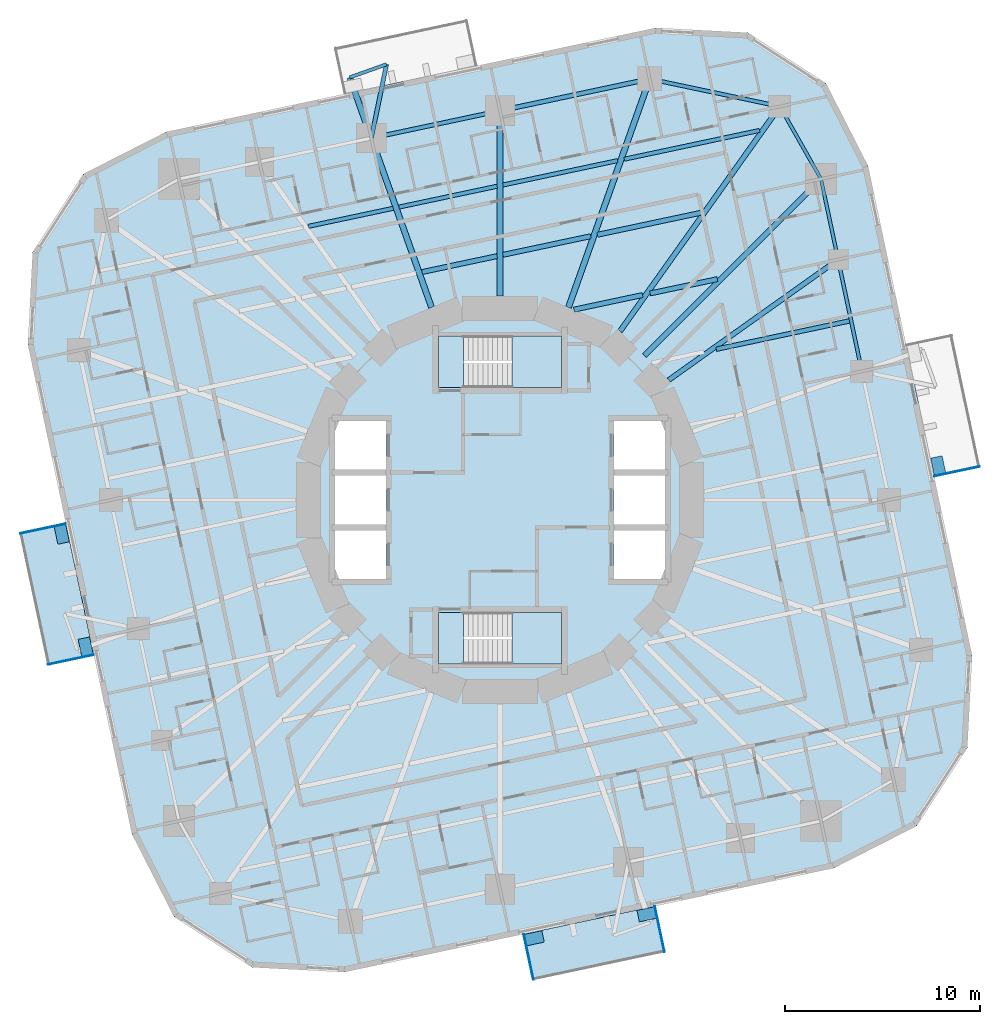
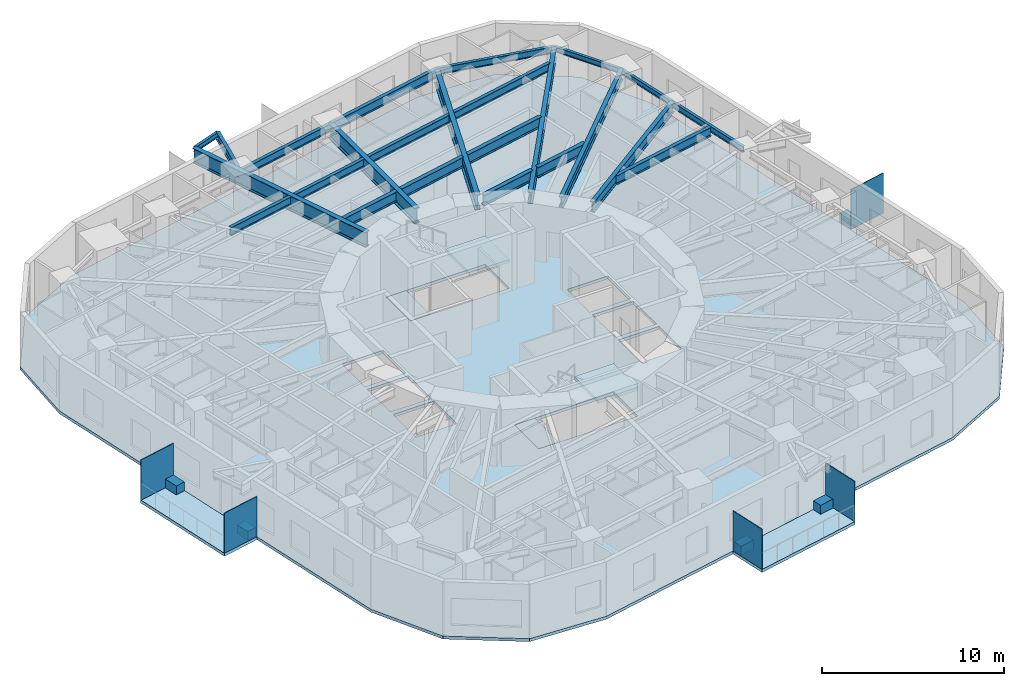
# One storey, part 3 of 14: 24 beams, 10 plates, 7 slabs, 2 elements without a shape of their own.
"""IFC4 building model written with IfcOpenShell, lengths in metres."""

import ifcopenshell
import ifcopenshell.guid

model = None  # the IFC model being written
_history = None  # IfcOwnerHistory: only IFC2X3 demands one
_inside = {}  # id of a spatial element -> (the spatial element, [elements in it])
_under = {}  # id of a project, library or spatial element -> (it, [spatial elements below it])
_declared = {}  # id of a project -> (the project, [libraries it declares])
_typed = {}  # id of a type object -> (the type object, [elements of that type])
_made_of = {}  # id of a material, layer set ... -> (it, [elements and type objects made of it])


def new_model(schema):
    """Start an empty IFC model of exactly this schema.

    Asked for "IFC4X3", IfcOpenShell would pick the latest addendum, in which some entities
    have other attributes; the version numbers below select the first issue.
    IFC2X3 requires an IfcOwnerHistory on every rooted entity: one is made here for all.
    """
    global model, _history
    if schema == "IFC4X3":
        model = ifcopenshell.file(schema_version=(4, 3, 0, 0))
    else:
        model = ifcopenshell.file(schema=schema)
    _inside.clear()
    _under.clear()
    _declared.clear()
    _typed.clear()
    _made_of.clear()
    _history = None
    if model.schema == "IFC2X3":
        org = make("IfcOrganization", Name="unknown")
        user = make(
            "IfcPersonAndOrganization",
            ThePerson=make("IfcPerson", FamilyName="unknown"),
            TheOrganization=org,
        )
        app = make(
            "IfcApplication",
            ApplicationDeveloper=org,
            Version="unknown",
            ApplicationFullName="unknown",
            ApplicationIdentifier="unknown",
        )
        _history = make(
            "IfcOwnerHistory",
            OwningUser=user,
            OwningApplication=app,
            ChangeAction="ADDED",
            CreationDate=0,
        )
    return model


def make(cls, **values):
    """One entity of the class cls with the attributes given. An attribute that is None is left unset."""
    return model.create_entity(
        cls, **{name: value for name, value in values.items() if value is not None}
    )


def rooted(cls, **values):
    """An entity with a GlobalId (a new one), such as an element, a storey or a relation."""
    return make(cls, GlobalId=ifcopenshell.guid.new(), OwnerHistory=_history, **values)


def si_unit(unit_type, name, prefix=None):
    """IfcSIUnit, for example si_unit("LENGTHUNIT", "METRE", prefix="MILLI")."""
    return make("IfcSIUnit", UnitType=unit_type, Prefix=prefix, Name=name)


def assignment(units):
    """IfcUnitAssignment: the units of a project."""
    return None if units is None else make("IfcUnitAssignment", Units=units)


def point(xyz):
    """IfcCartesianPoint."""
    return None if xyz is None else make("IfcCartesianPoint", Coordinates=xyz)


def direction(xyz):
    """IfcDirection."""
    return None if xyz is None else make("IfcDirection", DirectionRatios=xyz)


def frame(location, z_axis=None, x_axis=None):
    """IfcAxis2Placement3D, a coordinate frame: its origin and axes. An axis left out is left unset."""
    return make(
        "IfcAxis2Placement3D",
        Location=point(location),
        Axis=direction(z_axis),
        RefDirection=direction(x_axis),
    )


def frame_2d(location, x_axis=None):
    """IfcAxis2Placement2D, a coordinate frame in the plane: its origin and x axis."""
    return make(
        "IfcAxis2Placement2D", Location=point(location), RefDirection=direction(x_axis)
    )


def origin():
    """The frame at (0, 0, 0) with its axes left unset."""
    return frame((0.0, 0.0, 0.0))


def origin_2d():
    """The frame at (0, 0) in the plane with its x axis left unset."""
    return frame_2d((0.0, 0.0))


def place(relative_to, where):
    """IfcLocalPlacement: puts the frame where relative to a parent placement (None: the world)."""
    return make(
        "IfcLocalPlacement", PlacementRelTo=relative_to, RelativePlacement=where
    )


def context(
    kind, dimensions, precision=None, world=None, true_north=None, identifier=None
):
    """IfcGeometricRepresentationContext, for example the 3D "Model" context."""
    return make(
        "IfcGeometricRepresentationContext",
        ContextIdentifier=identifier,
        ContextType=kind,
        CoordinateSpaceDimension=dimensions,
        Precision=precision,
        WorldCoordinateSystem=world,
        TrueNorth=true_north,
    )


def subcontext(parent, identifier, kind, view, scale=None):
    """IfcGeometricRepresentationSubContext, for example "Body" below "Model"."""
    return make(
        "IfcGeometricRepresentationSubContext",
        ContextIdentifier=identifier,
        ContextType=kind,
        ParentContext=parent,
        TargetScale=scale,
        TargetView=view,
    )


def project(units=None, contexts=None):
    """IfcProject with its units and contexts."""
    return rooted(
        "IfcProject",
        Name="project",
        RepresentationContexts=contexts,
        UnitsInContext=assignment(units),
    )


def spatial(cls, under=None, at=None, **own):
    """A site, building, storey or space (cls), placed at a placement, below another one or the project."""
    s = rooted(cls, ObjectPlacement=at, **own)
    if under is not None:
        _under.setdefault(under.id(), (under, []))[1].append(s)
    return s


def polyline(points):
    """IfcPolyline through the points."""
    return make("IfcPolyline", Points=[point(p) for p in points])


def profile(cls, at=None, kind="AREA", **sizes):
    """A parametric profile (cls). Its sizes go by their IFC names, for example OverallWidth=200.0."""
    return make(cls, ProfileType=kind, Position=at, **sizes)


def rectangle(**sizes):
    """IfcRectangleProfileDef."""
    return profile("IfcRectangleProfileDef", **sizes)


def i_section(**sizes):
    """IfcIShapeProfileDef."""
    return profile("IfcIShapeProfileDef", **sizes)


def outline(outer, holes=None, kind="AREA"):
    """IfcArbitraryClosedProfileDef: a profile drawn as a closed curve; with holes, ...WithVoids."""
    if holes is None:
        return make("IfcArbitraryClosedProfileDef", ProfileType=kind, OuterCurve=outer)
    return make(
        "IfcArbitraryProfileDefWithVoids",
        ProfileType=kind,
        OuterCurve=outer,
        InnerCurves=holes,
    )


def extrude(swept, where, along, depth):
    """IfcExtrudedAreaSolid: the profile swept, set in the frame where, extruded along a direction by depth."""
    return make(
        "IfcExtrudedAreaSolid",
        SweptArea=swept,
        Position=where,
        ExtrudedDirection=direction(along),
        Depth=depth,
    )


def shape(context_of_items, identifier, shape_type, items):
    """IfcShapeRepresentation: the items that make up one representation, for example the "Body"."""
    return make(
        "IfcShapeRepresentation",
        ContextOfItems=context_of_items,
        RepresentationIdentifier=identifier,
        RepresentationType=shape_type,
        Items=items,
    )


def material(Name=None, Category=None):
    """IfcMaterial."""
    return make("IfcMaterial", Name=Name, Category=Category)


def layer(
    of_material, thickness, ventilated=None, Name=None, Category=None, Priority=None
):
    """IfcMaterialLayer: one layer of a wall or slab, of a material (None: an air gap)."""
    return make(
        "IfcMaterialLayer",
        Material=of_material,
        LayerThickness=thickness,
        IsVentilated=ventilated,
        Name=Name,
        Category=Category,
        Priority=Priority,
    )


def layer_set(layers, Name=None):
    """IfcMaterialLayerSet."""
    return make("IfcMaterialLayerSet", MaterialLayers=layers, LayerSetName=Name)


def material_profile(
    of_material, cross_section, Name=None, Category=None, Priority=None
):
    """IfcMaterialProfile: a cross section and its material."""
    return make(
        "IfcMaterialProfile",
        Name=Name,
        Material=of_material,
        Profile=cross_section,
        Priority=Priority,
        Category=Category,
    )


def profile_set(profiles, Name=None, composite=None):
    """IfcMaterialProfileSet."""
    return make(
        "IfcMaterialProfileSet",
        Name=Name,
        MaterialProfiles=profiles,
        CompositeProfile=composite,
    )


def made_of(thing, what):
    """Note that an element or type object is made of a material, layer set ...; save() writes the relation."""
    if what is not None:
        _made_of.setdefault(what.id(), (what, []))[1].append(thing)
    return thing


def type_object(cls, material=None, **own):
    """A type object (cls), such as IfcWallType, which elements share."""
    return made_of(rooted(cls, **own), material)


def element(
    cls,
    number,
    at=None,
    inside=None,
    cuts=None,
    type_object=None,
    material=None,
    context=None,
    identifier="Body",
    shape_type=None,
    held_by="IfcProductDefinitionShape",
    body=None,
    shapes=None,
    **own,
):
    """One element of the class cls, such as IfcWall. Its Tag is "e" and its number.

    at: its placement. inside: the storey or other place that contains it. cuts: it is an
    opening in that element (IfcRelVoidsElement). A single representation is given by context,
    identifier, shape_type and body (its items); several are given by shapes. held_by: the class
    of the entity that holds the representations. save() writes the other relations.
    """
    e = rooted(cls, Tag="e%d" % number, ObjectPlacement=at, **own)
    if body is not None:
        shapes = [shape(context, identifier, shape_type, body)]
    if shapes is not None:
        e.Representation = make(held_by, Representations=shapes)
    if inside is not None:
        _inside.setdefault(inside.id(), (inside, []))[1].append(e)
    if cuts is not None:
        rooted(
            "IfcRelVoidsElement", RelatingBuildingElement=cuts, RelatedOpeningElement=e
        )
    if type_object is not None:
        _typed.setdefault(type_object.id(), (type_object, []))[1].append(e)
    return made_of(e, material)


def aggregate(whole, parts):
    """IfcRelAggregates: a whole, such as a stair, and the parts it consists of."""
    return rooted("IfcRelAggregates", RelatingObject=whole, RelatedObjects=parts)


def save(model, path):
    """Write the relations noted so far, then the file.

    IfcRelAggregates (storeys below a building ...), IfcRelContainedInSpatialStructure (elements
    in a storey), IfcRelDefinesByType, IfcRelAssociatesMaterial and IfcRelDeclares: one each for
    every whole, place, type object, material and project.
    """
    for whole, parts in _under.values():
        aggregate(whole, parts)
    for where, things in _inside.values():
        rooted(
            "IfcRelContainedInSpatialStructure",
            RelatedElements=things,
            RelatingStructure=where,
        )
    for kind, things in _typed.values():
        rooted("IfcRelDefinesByType", RelatedObjects=things, RelatingType=kind)
    for what, things in _made_of.values():
        rooted("IfcRelAssociatesMaterial", RelatedObjects=things, RelatingMaterial=what)
    for by, libraries in _declared.values():
        rooted("IfcRelDeclares", RelatingContext=by, RelatedDefinitions=libraries)
    model.write(path)


model = new_model("IFC4")

# Units and contexts
model_context = context("Model", 3, precision=1e-05, world=origin(), true_north=direction((0.0, 1.0)))
body_context = subcontext(model_context, "Body", "Model", "MODEL_VIEW")
ifc_project = project(units=[si_unit("LENGTHUNIT", "METRE"), si_unit("AREAUNIT", "SQUARE_METRE"), si_unit("VOLUMEUNIT", "CUBIC_METRE"), si_unit("PLANEANGLEUNIT", "RADIAN"), si_unit("MASSUNIT", "GRAM", prefix="KILO")], contexts=[model_context])

# Site, building, storey
site_placement = place(None, origin())
site = spatial("IfcSite", under=ifc_project, at=site_placement, CompositionType="ELEMENT")
building_placement = place(site_placement, origin())
building = spatial("IfcBuilding", under=site, at=building_placement, Name="Nakasero Lantern House", CompositionType="ELEMENT")
storey_placement = place(building_placement, frame((0.0, 0.0, 105.0)))
storey = spatial("IfcBuildingStorey", under=building, at=storey_placement, Name="L25", CompositionType="ELEMENT", Elevation=105.0)

# Beams
ifc_material_1 = material(Name="Steel S355", Category="steel")
ifc_material_profile_1 = material_profile(ifc_material_1, i_section(OverallWidth=0.2138671875, OverallDepth=0.549072265625, WebThickness=0.0146484375, FlangeThickness=0.023681640625, FilletRadius=0.0126953125, at=origin_2d()), Name="UB 533x210x138")
ifc_profile_set_1 = profile_set([ifc_material_profile_1], Name="Steel S355")
beam_type_1 = type_object("IfcBeamType", Name="Balcony splay beam UB 533x210x138", PredefinedType="BEAM", material=ifc_profile_set_1)
beam_1_placement = place(storey_placement, frame((-6.590087890625, 18.534912109375, 3.37548828125), z_axis=(0.201831438605, 0.979420272605, 0.0), x_axis=(-0.979420272605, 0.201831438605, 0.0)))
element("IfcBeam", 1, at=beam_1_placement, inside=storey, type_object=beam_type_1, Name="Balcony splay beam L26 B3-C10A", PredefinedType="BEAM", context=body_context, shape_type="SweptSolid", body=[
    extrude(i_section(OverallWidth=0.2138671875, OverallDepth=0.549072265625, WebThickness=0.0146484375, FlangeThickness=0.023681640625, FilletRadius=0.0126953125, at=origin_2d()), origin(), (0.0, 0.0, 1.0), 3.858642578125),
])
ifc_material_2 = material(Name="Steel S355", Category="steel")
ifc_material_profile_2 = material_profile(ifc_material_2, i_section(OverallWidth=0.17138671875, OverallDepth=0.35498046875, WebThickness=0.00732421875, FlangeThickness=0.011474609375, FilletRadius=0.01025390625, at=origin_2d()), Name="UB 356x171x51")
ifc_profile_set_2 = profile_set([ifc_material_profile_2], Name="Steel S355")
beam_type_2 = type_object("IfcBeamType", Name="Balcony tie beam UB 356x171x51", PredefinedType="BEAM", material=ifc_profile_set_2)
beam_2_placement = place(storey_placement, frame((-5.811279296875, 22.314208984375, 3.472412109375), z_axis=(-0.942196708721, -0.335060236487, 0.0), x_axis=(0.335060236487, -0.942196708721, 0.0)))
element("IfcBeam", 2, at=beam_2_placement, inside=storey, type_object=beam_type_2, Name="Balcony tie beam L26 B3-C10", PredefinedType="BEAM", context=body_context, shape_type="SweptSolid", body=[
    extrude(i_section(OverallWidth=0.17138671875, OverallDepth=0.35498046875, WebThickness=0.00732421875, FlangeThickness=0.011474609375, FilletRadius=0.01025390625, at=origin_2d()), origin(), (0.0, 0.0, 1.0), 2.000244140625),
])
ifc_material_3 = material(Name="Steel S355", Category="steel")
ifc_material_profile_3 = material_profile(ifc_material_3, i_section(OverallWidth=0.2099609375, OverallDepth=0.53662109375, WebThickness=0.0107421875, FlangeThickness=0.017333984375, FilletRadius=0.0126953125, at=origin_2d()), Name="UB 533x210x101")
ifc_profile_set_3 = profile_set([ifc_material_profile_3], Name="Steel S355")
beam_type_3 = type_object("IfcBeamType", Name="Infill beam UB 533x210x101", PredefinedType="JOIST", material=ifc_profile_set_3)
beam_3_placement = place(storey_placement, frame((-9.810302734375, 14.0166015625, 3.381591796875), z_axis=(0.978147380557, 0.207912726665, 0.0), x_axis=(-0.207912726665, 0.978147380557, 0.0)))
element("IfcBeam", 3, at=beam_3_placement, inside=storey, type_object=beam_type_3, Name="Infill beam L26 12.4", PredefinedType="JOIST", context=body_context, shape_type="SweptSolid", body=[
    extrude(i_section(OverallWidth=0.2099609375, OverallDepth=0.53662109375, WebThickness=0.0107421875, FlangeThickness=0.017333984375, FilletRadius=0.0126953125, at=origin_2d()), origin(), (0.0, 0.0, 1.0), 4.436279296875),
])
beam_4_placement = place(storey_placement, frame((-5.1748046875, 15.001953125, 3.381591796875), z_axis=(0.978150996649, 0.20789571365, 0.0), x_axis=(-0.20789571365, 0.978150996649, 0.0)))
element("IfcBeam", 4, at=beam_4_placement, inside=storey, type_object=beam_type_3, Name="Infill beam L26 12.5", PredefinedType="JOIST", context=body_context, shape_type="SweptSolid", body=[
    extrude(i_section(OverallWidth=0.2099609375, OverallDepth=0.53662109375, WebThickness=0.0107421875, FlangeThickness=0.017333984375, FilletRadius=0.0126953125, at=origin_2d()), origin(), (0.0, 0.0, 1.0), 5.135498046875),
])
beam_5_placement = place(storey_placement, frame((0.151611328125, 16.134033203125, 3.381591796875), z_axis=(0.97814819896, 0.207908876365, 0.0), x_axis=(-0.207908876365, 0.97814819896, 0.0)))
element("IfcBeam", 5, at=beam_5_placement, inside=storey, type_object=beam_type_3, Name="Infill beam L26 12.6", PredefinedType="JOIST", context=body_context, shape_type="SweptSolid", body=[
    extrude(i_section(OverallWidth=0.2099609375, OverallDepth=0.53662109375, WebThickness=0.0107421875, FlangeThickness=0.017333984375, FilletRadius=0.0126953125, at=origin_2d()), origin(), (0.0, 0.0, 1.0), 6.00048828125),
])
beam_6_placement = place(storey_placement, frame((6.365478515625, 17.454833984375, 3.381591796875), z_axis=(0.978149480204, 0.207902848411, 0.0), x_axis=(-0.207902848411, 0.978149480204, 0.0)))
element("IfcBeam", 6, at=beam_6_placement, inside=storey, type_object=beam_type_3, Name="Infill beam L26 12.7", PredefinedType="JOIST", context=body_context, shape_type="SweptSolid", body=[
    extrude(i_section(OverallWidth=0.2099609375, OverallDepth=0.53662109375, WebThickness=0.0107421875, FlangeThickness=0.017333984375, FilletRadius=0.0126953125, at=origin_2d()), origin(), (0.0, 0.0, 1.0), 7.085693359375),
])
ifc_material_4 = material(Name="Steel S355", Category="steel")
ifc_material_profile_4 = material_profile(ifc_material_4, i_section(OverallWidth=0.2275390625, OverallDepth=0.6025390625, WebThickness=0.010498046875, FlangeThickness=0.014892578125, FilletRadius=0.0126953125, at=origin_2d()), Name="UB 610x229x101")
ifc_profile_set_4 = profile_set([ifc_material_profile_4], Name="Steel S355")
beam_type_4 = type_object("IfcBeamType", Name="Infill beam UB 610x229x101", PredefinedType="JOIST", material=ifc_profile_set_4)
beam_7_placement = place(storey_placement, frame((11.077880859375, 7.721923828125, 3.3486328125), z_axis=(0.978143535939, 0.207930813255, 0.0), x_axis=(-0.207930813255, 0.978143535939, 0.0)))
element("IfcBeam", 7, at=beam_7_placement, inside=storey, type_object=beam_type_4, Name="Infill beam L26 09.3", PredefinedType="JOIST", context=body_context, shape_type="SweptSolid", body=[
    extrude(i_section(OverallWidth=0.2275390625, OverallDepth=0.6025390625, WebThickness=0.010498046875, FlangeThickness=0.014892578125, FilletRadius=0.0126953125, at=origin_2d()), origin(), (0.0, 0.0, 1.0), 6.9697265625),
])
ifc_material_5 = material(Name="Steel S355", Category="steel")
ifc_material_profile_5 = material_profile(ifc_material_5, i_section(OverallWidth=0.253662109375, OverallDepth=0.68359375, WebThickness=0.012451171875, FlangeThickness=0.01904296875, FilletRadius=0.01513671875, at=origin_2d()), Name="UB 686x254x140")
ifc_profile_set_5 = profile_set([ifc_material_profile_5], Name="Steel S355")
beam_type_5 = type_object("IfcBeamType", Name="Infill beam UB 686x254x140", PredefinedType="JOIST", material=ifc_profile_set_5)
beam_8_placement = place(storey_placement, frame((-3.991943359375, 11.675048828125, 3.308349609375), z_axis=(0.978141463351, 0.207940562838, 0.0), x_axis=(-0.207940562838, 0.978141463351, 0.0)))
element("IfcBeam", 8, at=beam_8_placement, inside=storey, type_object=beam_type_5, Name="Infill beam L26 11.4", PredefinedType="JOIST", context=body_context, shape_type="SweptSolid", body=[
    extrude(i_section(OverallWidth=0.253662109375, OverallDepth=0.68359375, WebThickness=0.012451171875, FlangeThickness=0.01904296875, FilletRadius=0.01513671875, at=origin_2d()), origin(), (0.0, 0.0, 1.0), 3.92626953125),
])
beam_9_placement = place(storey_placement, frame((0.151611328125, 12.555908203125, 3.308349609375), z_axis=(0.978146422144, 0.20791723557, 0.0), x_axis=(-0.20791723557, 0.978146422144, 0.0)))
element("IfcBeam", 9, at=beam_9_placement, inside=storey, type_object=beam_type_5, Name="Infill beam L26 11.5", PredefinedType="JOIST", context=body_context, shape_type="SweptSolid", body=[
    extrude(i_section(OverallWidth=0.253662109375, OverallDepth=0.68359375, WebThickness=0.012451171875, FlangeThickness=0.01904296875, FilletRadius=0.01513671875, at=origin_2d()), origin(), (0.0, 0.0, 1.0), 4.593505859375),
])
beam_10_placement = place(storey_placement, frame((4.989013671875, 13.584228515625, 3.308349609375), z_axis=(0.978155764637, 0.207873278962, 0.0), x_axis=(-0.207873278962, 0.978155764637, 0.0)))
element("IfcBeam", 10, at=beam_10_placement, inside=storey, type_object=beam_type_5, Name="Infill beam L26 11.6", PredefinedType="JOIST", context=body_context, shape_type="SweptSolid", body=[
    extrude(i_section(OverallWidth=0.253662109375, OverallDepth=0.68359375, WebThickness=0.012451171875, FlangeThickness=0.01904296875, FilletRadius=0.01513671875, at=origin_2d()), origin(), (0.0, 0.0, 1.0), 5.428466796875),
])
ifc_material_6 = material(Name="Steel S355", Category="steel")
ifc_material_profile_6 = material_profile(ifc_material_6, i_section(OverallWidth=0.255859375, OverallDepth=0.69287109375, WebThickness=0.014404296875, FlangeThickness=0.023681640625, FilletRadius=0.01513671875, at=origin_2d()), Name="UB 686x254x170")
ifc_profile_set_6 = profile_set([ifc_material_profile_6], Name="Steel S355")
beam_type_6 = type_object("IfcBeamType", Name="Infill beam UB 686x254x170", PredefinedType="JOIST", material=ifc_profile_set_6)
beam_11_placement = place(storey_placement, frame((3.78759765625, 9.75048828125, 3.303466796875), z_axis=(0.978149176892, 0.207904275439, 0.0), x_axis=(-0.207904275439, 0.978149176892, 0.0)))
element("IfcBeam", 11, at=beam_11_placement, inside=storey, type_object=beam_type_6, Name="Infill beam L26 10.4", PredefinedType="JOIST", context=body_context, shape_type="SweptSolid", body=[
    extrude(i_section(OverallWidth=0.255859375, OverallDepth=0.69287109375, WebThickness=0.014404296875, FlangeThickness=0.023681640625, FilletRadius=0.01513671875, at=origin_2d()), origin(), (0.0, 0.0, 1.0), 3.59228515625),
])
beam_12_placement = place(storey_placement, frame((7.686767578125, 10.579345703125, 3.303466796875), z_axis=(0.97814493323, 0.20792424004, 0.0), x_axis=(-0.20792424004, 0.97814493323, 0.0)))
element("IfcBeam", 12, at=beam_12_placement, inside=storey, type_object=beam_type_6, Name="Infill beam L26 10.5", PredefinedType="JOIST", context=body_context, shape_type="SweptSolid", body=[
    extrude(i_section(OverallWidth=0.255859375, OverallDepth=0.69287109375, WebThickness=0.014404296875, FlangeThickness=0.023681640625, FilletRadius=0.01513671875, at=origin_2d()), origin(), (0.0, 0.0, 1.0), 3.5224609375),
])
ifc_material_7 = material(Name="Steel S355", Category="steel")
ifc_material_profile_7 = material_profile(ifc_material_7, i_section(OverallWidth=0.300048828125, OverallDepth=0.989990234375, WebThickness=0.0166015625, FlangeThickness=0.031005859375, FilletRadius=0.030029296875, at=origin_2d()), Name="UB 1016x305x272")
ifc_profile_set_7 = profile_set([ifc_material_profile_7], Name="Steel S355")
beam_type_7 = type_object("IfcBeamType", Name="Primary beam UB 1016x305x272, span 12 to 15 m", PredefinedType="BEAM", material=ifc_profile_set_7)
beam_13_placement = place(storey_placement, frame((7.667724609375, 21.5654296875, 3.155029296875), z_axis=(-0.335011995103, -0.942213862739, 0.0), x_axis=(0.942213862739, -0.335011995103, 0.0)))
element("IfcBeam", 13, at=beam_13_placement, inside=storey, type_object=beam_type_7, Name="Primary beam L26 B3-C08", PredefinedType="BEAM", context=body_context, shape_type="SweptSolid", body=[
    extrude(i_section(OverallWidth=0.300048828125, OverallDepth=0.989990234375, WebThickness=0.0166015625, FlangeThickness=0.031005859375, FilletRadius=0.030029296875, at=origin_2d()), origin(), (0.0, 0.0, 1.0), 12.41650390625),
])
ifc_material_8 = material(Name="Steel S355", Category="steel")
ifc_material_profile_8 = material_profile(ifc_material_8, i_section(OverallWidth=0.300048828125, OverallDepth=1.0, WebThickness=0.01904296875, FlangeThickness=0.035888671875, FilletRadius=0.030029296875, at=origin_2d()), Name="UB 1016x305x314")
ifc_profile_set_8 = profile_set([ifc_material_profile_8], Name="Steel S355")
beam_type_8 = type_object("IfcBeamType", Name="Primary beam UB 1016x305x314, span 9 to 12 m", PredefinedType="BEAM", material=ifc_profile_set_8)
beam_14_placement = place(storey_placement, frame((-7.69580078125, 21.64404296875, 3.150146484375), z_axis=(0.335020841845, -0.942210717159, 0.0), x_axis=(0.942210717159, 0.335020841845, 0.0)))
element("IfcBeam", 14, at=beam_14_placement, inside=storey, type_object=beam_type_8, Name="Primary beam L26 B3-C10", PredefinedType="BEAM", context=body_context, shape_type="SweptSolid", body=[
    extrude(i_section(OverallWidth=0.300048828125, OverallDepth=1.0, WebThickness=0.01904296875, FlangeThickness=0.035888671875, FilletRadius=0.030029296875, at=origin_2d()), origin(), (0.0, 0.0, 1.0), 12.5),
])
ifc_material_9 = material(Name="Steel S355", Category="steel")
ifc_material_profile_9 = material_profile(ifc_material_9, i_section(OverallWidth=0.302978515625, OverallDepth=1.015869140625, WebThickness=0.0244140625, FlangeThickness=0.0439453125, FilletRadius=0.030029296875, at=origin_2d()), Name="UB 1016x305x393")
ifc_profile_set_9 = profile_set([ifc_material_profile_9], Name="Steel S355")
beam_type_9 = type_object("IfcBeamType", Name="Primary beam UB 1016x305x393, span 9 to 12 m", PredefinedType="BEAM", material=ifc_profile_set_9)
beam_15_placement = place(storey_placement, frame((0.0, 19.935546875, 3.14208984375), z_axis=(0.0, -1.0, 0.0), x_axis=(1.0, 0.0, 0.0)))
element("IfcBeam", 15, at=beam_15_placement, inside=storey, type_object=beam_type_9, Name="Primary beam L26 B3-C09", PredefinedType="BEAM", context=body_context, shape_type="SweptSolid", body=[
    extrude(i_section(OverallWidth=0.302978515625, OverallDepth=1.015869140625, WebThickness=0.0244140625, FlangeThickness=0.0439453125, FilletRadius=0.030029296875, at=origin_2d()), origin(), (0.0, 0.0, 1.0), 9.477783203125),
])
ifc_material_10 = material(Name="Steel S355", Category="steel")
ifc_material_profile_10 = material_profile(ifc_material_10, i_section(OverallWidth=0.253662109375, OverallDepth=0.68359375, WebThickness=0.012451171875, FlangeThickness=0.01904296875, FilletRadius=0.01513671875, at=origin_2d()), Name="UB 686x254x140")
ifc_profile_set_10 = profile_set([ifc_material_profile_10], Name="Steel S355")
beam_type_10 = type_object("IfcBeamType", Name="Primary beam UB 686x254x140, span 12 to 15 m", PredefinedType="BEAM", material=ifc_profile_set_10)
beam_16_placement = place(storey_placement, frame((16.44091796875, 16.44091796875, 3.308349609375), z_axis=(-0.707106781187, -0.707106781187, 0.0), x_axis=(0.707106781187, -0.707106781187, 0.0)))
element("IfcBeam", 16, at=beam_16_placement, inside=storey, type_object=beam_type_10, Name="Primary beam L26 B3-C06", PredefinedType="BEAM", context=body_context, shape_type="SweptSolid", body=[
    extrude(i_section(OverallWidth=0.253662109375, OverallDepth=0.68359375, WebThickness=0.012451171875, FlangeThickness=0.01904296875, FilletRadius=0.01513671875, at=origin_2d()), origin(), (0.0, 0.0, 1.0), 12.793212890625),
])
ifc_material_11 = material(Name="Steel S355", Category="steel")
ifc_material_profile_11 = material_profile(ifc_material_11, i_section(OverallWidth=0.253662109375, OverallDepth=0.68359375, WebThickness=0.012451171875, FlangeThickness=0.01904296875, FilletRadius=0.01513671875, at=origin_2d()), Name="UB 686x254x140")
ifc_profile_set_11 = profile_set([ifc_material_profile_11], Name="Steel S355")
beam_type_11 = type_object("IfcBeamType", Name="Primary beam UB 686x254x140, span 9 to 12 m", PredefinedType="BEAM", material=ifc_profile_set_11)
beam_17_placement = place(storey_placement, frame((17.318115234375, 12.31494140625, 3.308349609375), z_axis=(-0.814957491022, -0.579520739774, 0.0), x_axis=(0.579520739774, -0.814957491022, 0.0)))
element("IfcBeam", 17, at=beam_17_placement, inside=storey, type_object=beam_type_11, Name="Primary beam L26 B3-C05", PredefinedType="BEAM", context=body_context, shape_type="SweptSolid", body=[
    extrude(i_section(OverallWidth=0.253662109375, OverallDepth=0.68359375, WebThickness=0.012451171875, FlangeThickness=0.01904296875, FilletRadius=0.01513671875, at=origin_2d()), origin(), (0.0, 0.0, 1.0), 10.64453125),
])
ifc_material_12 = material(Name="Steel S355", Category="steel")
ifc_material_profile_12 = material_profile(ifc_material_12, i_section(OverallWidth=0.2666015625, OverallDepth=0.76220703125, WebThickness=0.014404296875, FlangeThickness=0.021484375, FilletRadius=0.0166015625, at=origin_2d()), Name="UB 762x267x173")
ifc_profile_set_12 = profile_set([ifc_material_profile_12], Name="Steel S355")
beam_type_12 = type_object("IfcBeamType", Name="Primary beam UB 762x267x173, span 12 to 15 m", PredefinedType="BEAM", material=ifc_profile_set_12)
beam_18_placement = place(storey_placement, frame((14.33349609375, 20.15625, 3.268798828125), z_axis=(-0.57953679421, -0.814946074386, 0.0), x_axis=(0.814946074386, -0.57953679421, 0.0)))
element("IfcBeam", 18, at=beam_18_placement, inside=storey, type_object=beam_type_12, Name="Primary beam L26 B3-C07", PredefinedType="BEAM", context=body_context, shape_type="SweptSolid", body=[
    extrude(i_section(OverallWidth=0.2666015625, OverallDepth=0.76220703125, WebThickness=0.014404296875, FlangeThickness=0.021484375, FilletRadius=0.0166015625, at=origin_2d()), origin(), (0.0, 0.0, 1.0), 14.127197265625),
])
ifc_material_13 = material(Name="Steel S355", Category="steel")
ifc_material_profile_13 = material_profile(ifc_material_13, i_section(OverallWidth=0.17138671875, OverallDepth=0.35498046875, WebThickness=0.00732421875, FlangeThickness=0.011474609375, FilletRadius=0.01025390625, at=origin_2d()), Name="UB 356x171x51")
ifc_profile_set_13 = profile_set([ifc_material_profile_13], Name="Steel S355")
beam_type_13 = type_object("IfcBeamType", Name="Ring beam UB 356x171x51", PredefinedType="BEAM", material=ifc_profile_set_13)
beam_19_placement = place(storey_placement, frame((17.318115234375, 12.31494140625, 3.472412109375), z_axis=(-0.207955665195, 0.978138252658, 0.0), x_axis=(-0.978138252658, -0.207955665195, 0.0)))
element("IfcBeam", 19, at=beam_19_placement, inside=storey, type_object=beam_type_13, Name="Ring beam L26 B3-C05", PredefinedType="BEAM", context=body_context, shape_type="SweptSolid", body=[
    extrude(i_section(OverallWidth=0.17138671875, OverallDepth=0.35498046875, WebThickness=0.00732421875, FlangeThickness=0.011474609375, FilletRadius=0.01025390625, at=origin_2d()), origin(), (0.0, 0.0, 1.0), 4.21826171875),
])
beam_20_placement = place(storey_placement, frame((16.44091796875, 16.44091796875, 3.472412109375), z_axis=(-0.493378832737, 0.869814536213, 0.0), x_axis=(-0.869814536213, -0.493378832737, 0.0)))
element("IfcBeam", 20, at=beam_20_placement, inside=storey, type_object=beam_type_13, Name="Ring beam L26 B3-C06", PredefinedType="BEAM", context=body_context, shape_type="SweptSolid", body=[
    extrude(i_section(OverallWidth=0.17138671875, OverallDepth=0.35498046875, WebThickness=0.00732421875, FlangeThickness=0.011474609375, FilletRadius=0.01025390625, at=origin_2d()), origin(), (0.0, 0.0, 1.0), 4.271484375),
])
ifc_material_14 = material(Name="Steel S355", Category="steel")
ifc_material_profile_14 = material_profile(ifc_material_14, i_section(OverallWidth=0.177978515625, OverallDepth=0.406494140625, WebThickness=0.0078125, FlangeThickness=0.0126953125, FilletRadius=0.01025390625, at=origin_2d()), Name="UB 406x178x60")
ifc_profile_set_14 = profile_set([ifc_material_profile_14], Name="Steel S355")
beam_type_14 = type_object("IfcBeamType", Name="Ring beam UB 406x178x60", PredefinedType="BEAM", material=ifc_profile_set_14)
beam_21_placement = place(storey_placement, frame((18.534912109375, 6.590087890625, 3.44677734375), z_axis=(-0.207902159541, 0.978149626621, 0.0), x_axis=(-0.978149626621, -0.207902159541, 0.0)))
element("IfcBeam", 21, at=beam_21_placement, inside=storey, type_object=beam_type_14, Name="Ring beam L26 B3-C04", PredefinedType="BEAM", context=body_context, shape_type="SweptSolid", body=[
    extrude(i_section(OverallWidth=0.177978515625, OverallDepth=0.406494140625, WebThickness=0.0078125, FlangeThickness=0.0126953125, FilletRadius=0.01025390625, at=origin_2d()), origin(), (0.0, 0.0, 1.0), 5.852783203125),
])
ifc_material_15 = material(Name="Steel S355", Category="steel")
ifc_material_profile_15 = material_profile(ifc_material_15, i_section(OverallWidth=0.18994140625, OverallDepth=0.453369140625, WebThickness=0.008544921875, FlangeThickness=0.0126953125, FilletRadius=0.01025390625, at=origin_2d()), Name="UB 457x191x67")
ifc_profile_set_15 = profile_set([ifc_material_profile_15], Name="Steel S355")
beam_type_15 = type_object("IfcBeamType", Name="Ring beam UB 457x191x67", PredefinedType="BEAM", material=ifc_profile_set_15)
beam_22_placement = place(storey_placement, frame((14.33349609375, 20.15625, 3.42333984375), z_axis=(-0.978376066473, 0.206833925052, 0.0), x_axis=(-0.206833925052, -0.978376066473, 0.0)))
element("IfcBeam", 22, at=beam_22_placement, inside=storey, type_object=beam_type_15, Name="Ring beam L26 B3-C07", PredefinedType="BEAM", context=body_context, shape_type="SweptSolid", body=[
    extrude(i_section(OverallWidth=0.18994140625, OverallDepth=0.453369140625, WebThickness=0.008544921875, FlangeThickness=0.0126953125, FilletRadius=0.01025390625, at=origin_2d()), origin(), (0.0, 0.0, 1.0), 6.81298828125),
])
ifc_material_16 = material(Name="Steel S355", Category="steel")
ifc_material_profile_16 = material_profile(ifc_material_16, i_section(OverallWidth=0.2099609375, OverallDepth=0.53662109375, WebThickness=0.0107421875, FlangeThickness=0.017333984375, FilletRadius=0.0126953125, at=origin_2d()), Name="UB 533x210x101")
ifc_profile_set_16 = profile_set([ifc_material_profile_16], Name="Steel S355")
beam_type_16 = type_object("IfcBeamType", Name="Ring beam UB 533x210x101", PredefinedType="BEAM", material=ifc_profile_set_16)
beam_23_placement = place(storey_placement, frame((0.0, 19.935546875, 3.381591796875), z_axis=(-0.978151574702, -0.20789299389, 0.0), x_axis=(0.20789299389, -0.978151574702, 0.0)))
element("IfcBeam", 23, at=beam_23_placement, inside=storey, type_object=beam_type_16, Name="Ring beam L26 B3-C09", PredefinedType="BEAM", context=body_context, shape_type="SweptSolid", body=[
    extrude(i_section(OverallWidth=0.2099609375, OverallDepth=0.53662109375, WebThickness=0.0107421875, FlangeThickness=0.017333984375, FilletRadius=0.0126953125, at=origin_2d()), origin(), (0.0, 0.0, 1.0), 6.7373046875),
])
ifc_material_17 = material(Name="Steel S355", Category="steel")
ifc_material_profile_17 = material_profile(ifc_material_17, i_section(OverallWidth=0.22900390625, OverallDepth=0.6123046875, WebThickness=0.011962890625, FlangeThickness=0.01953125, FilletRadius=0.0126953125, at=origin_2d()), Name="UB 610x229x125")
ifc_profile_set_17 = profile_set([ifc_material_profile_17], Name="Steel S355")
beam_type_17 = type_object("IfcBeamType", Name="Ring beam UB 610x229x125", PredefinedType="BEAM", material=ifc_profile_set_17)
beam_24_placement = place(storey_placement, frame((7.667724609375, 21.5654296875, 3.343994140625), z_axis=(-0.978146105516, -0.207918725139, 0.0), x_axis=(0.207918725139, -0.978146105516, 0.0)))
element("IfcBeam", 24, at=beam_24_placement, inside=storey, type_object=beam_type_17, Name="Ring beam L26 B3-C08", PredefinedType="BEAM", context=body_context, shape_type="SweptSolid", body=[
    extrude(i_section(OverallWidth=0.22900390625, OverallDepth=0.6123046875, WebThickness=0.011962890625, FlangeThickness=0.01953125, FilletRadius=0.0126953125, at=origin_2d()), origin(), (0.0, 0.0, 1.0), 7.839111328125),
])

# Plates
ifc_material_18 = material(Name="Aluminium 6063-T6", Category="aluminium")
ifc_layer_1 = layer(ifc_material_18, 0.60009765625)
ifc_layer_set_1 = layer_set([ifc_layer_1], Name="Balcony planter 600x900")
plate_type_1 = type_object("IfcPlateType", Name="Balcony planter 600x900", PredefinedType="USERDEFINED", material=ifc_layer_set_1)
for number, where, z_axis, x_axis, name in (
    (25, (22.443603515625, 1.764892578125, 0.0), (0.0, 0.0, 1.0), (0.978147600734, 0.207911690818, 0.0), "Balcony PLANTER L25 BAL0A"),
    (26, (-22.443603515625, -1.764892578125, 0.0), (0.0, 0.0, 1.0), (-0.978147600734, -0.207911690818, 0.0), "Balcony PLANTER L25 BAL2A"),
    (27, (-21.220947265625, -7.516357421875, 0.0), (0.0, 0.0, 1.0), (-0.978147600734, -0.207911690818, 0.0), "Balcony PLANTER L25 BAL2B"),
    (28, (1.764892578125, -22.443603515625, 0.0), (0.0, 0.0, 1.0), (0.207911690818, -0.978147600734, 0.0), "Balcony PLANTER L25 BAL3A"),
    (29, (7.516357421875, -21.220947265625, 0.0), (0.0, 0.0, 1.0), (0.207911690818, -0.978147600734, 0.0), "Balcony PLANTER L25 BAL3B"),
):
    element("IfcPlate", number, at=place(storey_placement, frame(where, z_axis=z_axis, x_axis=x_axis)), inside=storey, type_object=plate_type_1, Name=name, ObjectType="PLANTER", PredefinedType="USERDEFINED", context=body_context, shape_type="SweptSolid", body=[
        extrude(rectangle(XDim=0.60009765625, YDim=0.89990234375, at=origin_2d()), origin(), (0.0, 0.0, 1.0), 0.60009765625),
    ])
ifc_material_19 = material(Name="Aluminium 6063-T6", Category="aluminium")
ifc_layer_2 = layer(ifc_material_19, 0.0400390625)
ifc_layer_set_2 = layer_set([ifc_layer_2], Name="Balcony screen 2400x2700")
plate_type_2 = type_object("IfcPlateType", Name="Balcony screen 2400x2700", PredefinedType="SHEET", material=ifc_layer_set_2)
for number, where, z_axis, x_axis, name in (
    (30, (23.40625, 1.468505859375, 0.0), (0.0, 0.0, 1.0), (0.978147600734, 0.207911690818, 0.0), "Balcony SCREEN L25 BAL0A"),
    (31, (-23.40625, -1.468505859375, 0.0), (0.0, 0.0, 1.0), (-0.978147600734, -0.207911690818, 0.0), "Balcony SCREEN L25 BAL2A"),
    (32, (-21.97998046875, -8.1787109375, 0.0), (0.0, 0.0, 1.0), (-0.978147600734, -0.207911690818, 0.0), "Balcony SCREEN L25 BAL2B"),
    (33, (1.468505859375, -23.40625, 0.0), (0.0, 0.0, 1.0), (0.207911690818, -0.978147600734, 0.0), "Balcony SCREEN L25 BAL3A"),
    (34, (8.1787109375, -21.97998046875, 0.0), (0.0, 0.0, 1.0), (0.207911690818, -0.978147600734, 0.0), "Balcony SCREEN L25 BAL3B"),
):
    element("IfcPlate", number, at=place(storey_placement, frame(where, z_axis=z_axis, x_axis=x_axis)), inside=storey, type_object=plate_type_2, Name=name, PredefinedType="SHEET", context=body_context, shape_type="SweptSolid", body=[
        extrude(rectangle(XDim=2.39990234375, YDim=0.0400390625, at=origin_2d()), origin(), (0.0, 0.0, 1.0), 2.699951171875),
    ])

# Slabs
ifc_material_20 = material(Name="Concrete C35/45", Category="concrete")
ifc_layer_3 = layer(ifc_material_20, 0.199951171875)
ifc_layer_set_3 = layer_set([ifc_layer_3], Name="Balcony slab 200")
slab_type_1 = type_object("IfcSlabType", Name="Balcony slab 200", PredefinedType="USERDEFINED", material=ifc_layer_set_3)
slab_1_placement = place(storey_placement, frame((0.0, 0.0, -0.199951171875)))
element("IfcSlab", 35, at=slab_1_placement, inside=storey, type_object=slab_type_1, Name="Balcony L25 BAL2", ObjectType="BALCONY", PredefinedType="USERDEFINED", context=body_context, shape_type="SweptSolid", body=[
    extrude(outline(polyline([(-22.236572265625, -1.199462890625), (-24.583984375, -1.698486328125), (-23.1494140625, -8.44775390625), (-20.802001953125, -7.94873046875), (-22.236572265625, -1.199462890625)])), origin(), (0.0, 0.0, 1.0), 0.199951171875),
])
slab_2_placement = place(storey_placement, frame((0.0, 0.0, -0.199951171875)))
element("IfcSlab", 36, at=slab_2_placement, inside=storey, type_object=slab_type_1, Name="Balcony L25 BAL3", ObjectType="BALCONY", PredefinedType="USERDEFINED", context=body_context, shape_type="SweptSolid", body=[
    extrude(outline(polyline([(1.199462890625, -22.236572265625), (1.698486328125, -24.583984375), (8.44775390625, -23.1494140625), (7.94873046875, -20.802001953125), (1.199462890625, -22.236572265625)])), origin(), (0.0, 0.0, 1.0), 0.199951171875),
])
ifc_material_21 = material(Name="Concrete C35/45", Category="concrete")
ifc_layer_4 = layer(ifc_material_21, 0.199951171875)
ifc_layer_set_4 = layer_set([ifc_layer_4], Name="Composite floor slab 200")
slab_type_2 = type_object("IfcSlabType", Name="Composite floor slab 200", PredefinedType="FLOOR", material=ifc_layer_set_4)
slab_3_placement = place(storey_placement, frame((0.0, 0.0, -0.199951171875)))
element("IfcSlab", 37, at=slab_3_placement, inside=storey, type_object=slab_type_2, Name="Floor slab L25", PredefinedType="FLOOR", context=body_context, shape_type="SweptSolid", body=[
    extrude(outline(polyline([(18.85791015625, 17.09423828125), (16.696044921875, 21.337646484375), (12.701904296875, 23.931396484375), (7.9462890625, 24.180419921875), (-17.09423828125, 18.85791015625), (-21.337646484375, 16.696044921875), (-23.931396484375, 12.701904296875), (-24.180419921875, 7.9462890625), (-18.85791015625, -17.09423828125), (-16.696044921875, -21.337646484375), (-12.701904296875, -23.931396484375), (-7.9462890625, -24.180419921875), (17.09423828125, -18.85791015625), (21.337646484375, -16.696044921875), (23.931396484375, -12.701904296875), (24.180419921875, -7.9462890625), (18.85791015625, 17.09423828125)]), holes=[polyline([(-8.449951171875, -4.050048828125), (-5.85009765625, -4.050048828125), (-5.85009765625, -1.550048828125), (-8.449951171875, -1.550048828125), (-8.449951171875, -4.050048828125)]), polyline([(-8.449951171875, -1.25), (-5.85009765625, -1.25), (-5.85009765625, 1.25), (-8.449951171875, 1.25), (-8.449951171875, -1.25)]), polyline([(-8.449951171875, 1.550048828125), (-5.85009765625, 1.550048828125), (-5.85009765625, 4.050048828125), (-8.449951171875, 4.050048828125), (-8.449951171875, 1.550048828125)]), polyline([(5.85009765625, -4.050048828125), (8.449951171875, -4.050048828125), (8.449951171875, -1.550048828125), (5.85009765625, -1.550048828125), (5.85009765625, -4.050048828125)]), polyline([(5.85009765625, -1.25), (8.449951171875, -1.25), (8.449951171875, 1.25), (5.85009765625, 1.25), (5.85009765625, -1.25)]), polyline([(5.85009765625, 1.550048828125), (8.449951171875, 1.550048828125), (8.449951171875, 4.050048828125), (5.85009765625, 4.050048828125), (5.85009765625, 1.550048828125)]), polyline([(-3.14990234375, 5.75), (3.14990234375, 5.75), (3.14990234375, 8.39990234375), (-3.14990234375, 8.39990234375), (-3.14990234375, 5.75)]), polyline([(-3.14990234375, -8.39990234375), (3.14990234375, -8.39990234375), (3.14990234375, -5.75), (-3.14990234375, -5.75), (-3.14990234375, -8.39990234375)])]), origin(), (0.0, 0.0, 1.0), 0.199951171875),
])

# Stair, slabs
ifc_material_22 = material(Name="Concrete C40/50", Category="concrete")
stair_type_1 = type_object("IfcStairType", Name="Escape stair ST1 22 risers", PredefinedType="HALF_TURN_STAIR", material=ifc_material_22)
stair_1_placement = place(storey_placement, origin())
stair_1 = element("IfcStair", 38, at=stair_1_placement, inside=storey, type_object=stair_type_1, Name="Escape stair ST1 L25", PredefinedType="HALF_TURN_STAIR")
ifc_material_23 = material(Name="Concrete C40/50", Category="concrete")
ifc_layer_5 = layer(ifc_material_23, 0.199951171875)
ifc_layer_set_5 = layer_set([ifc_layer_5], Name="Stair landing 200")
slab_type_3 = type_object("IfcSlabType", Name="Stair landing 200", PredefinedType="LANDING", material=ifc_layer_set_5)
slab_4_placement = place(storey_placement, frame((0.0, 0.0, -0.199951171875)))
slab_4 = element("IfcSlab", 39, at=slab_4_placement, type_object=slab_type_3, Name="ST1 landing 1", PredefinedType="LANDING", context=body_context, shape_type="SweptSolid", body=[
    extrude(outline(polyline([(-3.14990234375, 5.75), (-1.875, 5.75), (-1.875, 8.39990234375), (-3.14990234375, 8.39990234375), (-3.14990234375, 5.75)])), origin(), (0.0, 0.0, 1.0), 0.199951171875),
])
slab_5_placement = place(storey_placement, frame((0.0, 0.0, 1.72509765625)))
slab_5 = element("IfcSlab", 40, at=slab_5_placement, type_object=slab_type_3, Name="ST1 landing 2", PredefinedType="LANDING", context=body_context, shape_type="SweptSolid", body=[
    extrude(outline(polyline([(0.625, 5.75), (3.14990234375, 5.75), (3.14990234375, 8.39990234375), (0.625, 8.39990234375), (0.625, 5.75)])), origin(), (0.0, 0.0, 1.0), 0.199951171875),
])
aggregate(stair_1, [slab_4, slab_5])

ifc_material_24 = material(Name="Concrete C40/50", Category="concrete")
stair_type_2 = type_object("IfcStairType", Name="Escape stair ST2 22 risers", PredefinedType="HALF_TURN_STAIR", material=ifc_material_24)
stair_2_placement = place(storey_placement, origin())
stair_2 = element("IfcStair", 41, at=stair_2_placement, inside=storey, type_object=stair_type_2, Name="Escape stair ST2 L25", PredefinedType="HALF_TURN_STAIR")
slab_6_placement = place(storey_placement, frame((0.0, 0.0, -0.199951171875)))
slab_6 = element("IfcSlab", 42, at=slab_6_placement, type_object=slab_type_3, Name="ST2 landing 1", PredefinedType="LANDING", context=body_context, shape_type="SweptSolid", body=[
    extrude(outline(polyline([(-3.14990234375, -8.39990234375), (-1.875, -8.39990234375), (-1.875, -5.75), (-3.14990234375, -5.75), (-3.14990234375, -8.39990234375)])), origin(), (0.0, 0.0, 1.0), 0.199951171875),
])
slab_7_placement = place(storey_placement, frame((0.0, 0.0, 1.72509765625)))
slab_7 = element("IfcSlab", 43, at=slab_7_placement, type_object=slab_type_3, Name="ST2 landing 2", PredefinedType="LANDING", context=body_context, shape_type="SweptSolid", body=[
    extrude(outline(polyline([(0.625, -8.39990234375), (3.14990234375, -8.39990234375), (3.14990234375, -5.75), (0.625, -5.75), (0.625, -8.39990234375)])), origin(), (0.0, 0.0, 1.0), 0.199951171875),
])
aggregate(stair_2, [slab_6, slab_7])

save(model, "model.ifc")
